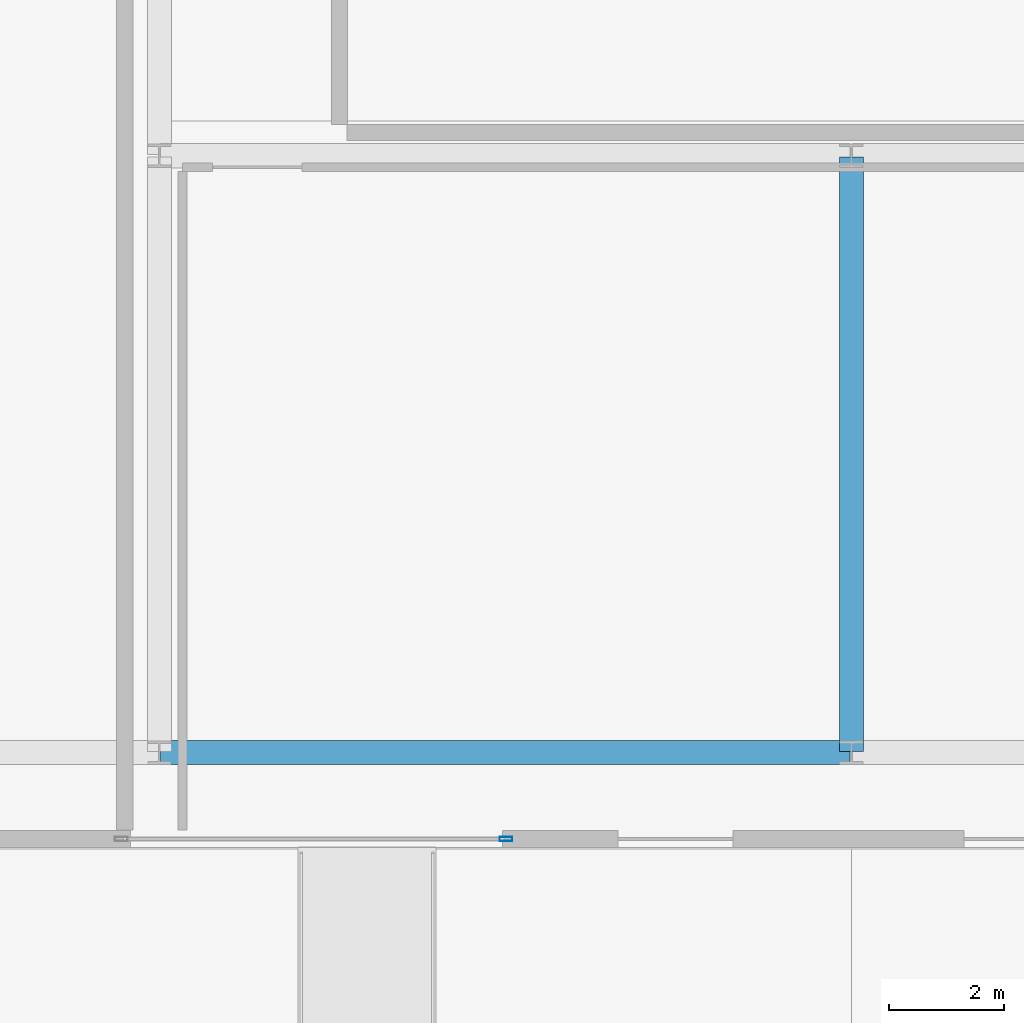
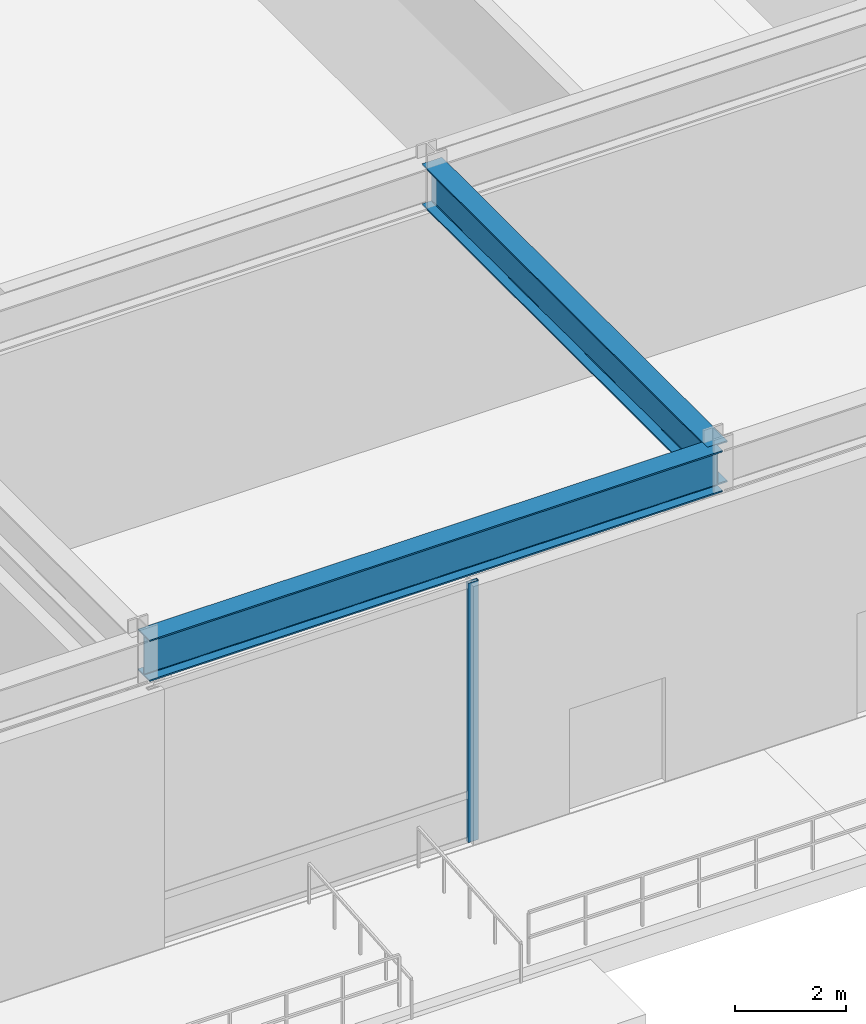
# One storey, part 6 of 17: 2 beams, 1 member, 1 element without a shape of its own.
"""IFC4 building model written with IfcOpenShell, lengths in metres."""

from ifc_helpers import new_model, si_unit, direction, frame, origin, origin_2d, place, context, subcontext, project, spatial, hollow_rectangle, i_section, extrude, source, transform, mapped, material, layer, layer_set, material_profile, profile_set, type_object, type_shapes, element, aggregate, save


model = new_model("IFC4")

# Units and contexts
model_context = context("Model", 3, precision=1e-05, world=origin(), true_north=direction((0.0, 1.0)))
body_context = subcontext(model_context, "Body", "Model", "MODEL_VIEW")
ifc_project = project(units=[si_unit("LENGTHUNIT", "METRE"), si_unit("AREAUNIT", "SQUARE_METRE"), si_unit("VOLUMEUNIT", "CUBIC_METRE"), si_unit("PLANEANGLEUNIT", "RADIAN"), si_unit("MASSUNIT", "GRAM", prefix="KILO")], contexts=[model_context])

# Site, building, storey
site_placement = place(None, origin())
site = spatial("IfcSite", under=ifc_project, at=site_placement, CompositionType="ELEMENT")
building_placement = place(site_placement, origin())
building = spatial("IfcBuilding", under=site, at=building_placement, Name="Varnel Quay Broadcast Tower", CompositionType="ELEMENT")
storey_placement = place(building_placement, origin())
storey = spatial("IfcBuildingStorey", under=building, at=storey_placement, Name="L00", CompositionType="ELEMENT", Elevation=0.0)

# Beams
ifc_material_1 = material(Name="Structural Steel CSA G40.21 350W", Category="steel")
ifc_material_profile_1 = material_profile(ifc_material_1, i_section(OverallWidth=0.41796875, OverallDepth=0.912109375, WebThickness=0.019287109375, FlangeThickness=0.031982421875, FilletRadius=0.02197265625, at=origin_2d()), Name="W920X342")
ifc_profile_set_1 = profile_set([ifc_material_profile_1], Name="Structural Steel CSA G40.21 350W")
beam_type = type_object("IfcBeamType", Name="Girder_W920X342", PredefinedType="BEAM", material=ifc_profile_set_1)
shared_shape_1 = source(origin(), body_context, "Body", "SweptSolid", [
    extrude(i_section(OverallWidth=0.41796875, OverallDepth=0.912109375, WebThickness=0.019287109375, FlangeThickness=0.031982421875, FilletRadius=0.02197265625, at=origin_2d()), origin(), (0.0, 0.0, 1.0), 11.9599609375),
])
beam_1_placement = place(storey_placement, frame((22.02001953125, 1.64990234375, 5.263916015625), z_axis=(1.0, 0.0, 0.0), x_axis=(0.0, 1.0, 0.0)))
element("IfcBeam", 1, at=beam_1_placement, inside=storey, type_object=beam_type, Name="L00 Girder G-PS2", PredefinedType="BEAM", context=body_context, shape_type="MappedRepresentation", body=[
    mapped(shared_shape_1, transform((0.0, 0.0, 0.0), x_axis=(1.0, 0.0, 0.0), y_axis=(0.0, 1.0, 0.0), z_axis=(0.0, 0.0, 1.0), scale=1.0)),
])
shared_shape_2 = source(origin(), body_context, "Body", "SweptSolid", [
    extrude(i_section(OverallWidth=0.41796875, OverallDepth=0.912109375, WebThickness=0.019287109375, FlangeThickness=0.031982421875, FilletRadius=0.02197265625, at=origin_2d()), origin(), (0.0, 0.0, 1.0), 10.31005859375),
])
type_shapes(beam_type, [shared_shape_1, shared_shape_2])
beam_2_placement = place(storey_placement, frame((34.0, 1.669921875, 5.263916015625), z_axis=(0.0, 1.0, 0.0), x_axis=(-1.0, 0.0, 0.0)))
element("IfcBeam", 2, at=beam_2_placement, inside=storey, type_object=beam_type, Name="L00 Girder G-M2B", PredefinedType="BEAM", context=body_context, shape_type="MappedRepresentation", body=[
    mapped(shared_shape_2, transform((0.0, 0.0, 0.0), x_axis=(1.0, 0.0, 0.0), y_axis=(0.0, 1.0, 0.0), z_axis=(0.0, 0.0, 1.0), scale=1.0)),
])

# Curtain wall, member
ifc_material_2 = material(Name="Anodised Bronze Aluminium 6063-T6", Category="aluminium")
ifc_layer = layer(ifc_material_2, 0.18994140625, Name="Anodised Bronze Aluminium 6063-T6")
ifc_layer_set = layer_set([ifc_layer], Name="Anodised Bronze Aluminium 6063-T6")
curtain_wall_type = type_object("IfcCurtainWallType", Name="CW_PodiumForum", PredefinedType="NOTDEFINED", material=ifc_layer_set)
curtain_wall_placement = place(storey_placement, origin())
curtain_wall = element("IfcCurtainWall", 3, at=curtain_wall_placement, inside=storey, type_object=curtain_wall_type, Name="L00 Waterfront Forum West Glazing", PredefinedType="NOTDEFINED")
ifc_material_profile_2 = material_profile(ifc_material_2, hollow_rectangle(XDim=0.074951171875, YDim=0.219970703125, WallThickness=0.00390625, at=origin_2d()), Name="ALU75X220X4")
ifc_profile_set_2 = profile_set([ifc_material_profile_2], Name="Anodised Bronze Aluminium 6063-T6")
member_type = type_object("IfcMemberType", Name="Mull_CWS-01", PredefinedType="MULLION", material=ifc_profile_set_2)
shared_shape_3 = source(origin(), body_context, "Body", "SweptSolid", [
    extrude(hollow_rectangle(XDim=0.074951171875, YDim=0.219970703125, WallThickness=0.00390625, at=origin_2d()), origin(), (0.0, 0.0, 1.0), 5.719970703125),
])
type_shapes(member_type, [shared_shape_3])
member_placement = place(storey_placement, frame((28.012451171875, 0.14990234375, 0.0), z_axis=(0.0, 0.0, 1.0), x_axis=(0.0, 1.0, 0.0)))
member = element("IfcMember", 4, at=member_placement, type_object=member_type, Name="CWS-01 mullion 2", PredefinedType="MULLION", context=body_context, shape_type="MappedRepresentation", body=[
    mapped(shared_shape_3, transform((0.0, 0.0, 0.0), x_axis=(1.0, 0.0, 0.0), y_axis=(0.0, 1.0, 0.0), z_axis=(0.0, 0.0, 1.0), scale=1.0)),
])
aggregate(curtain_wall, [member])

save(model, "model.ifc")
